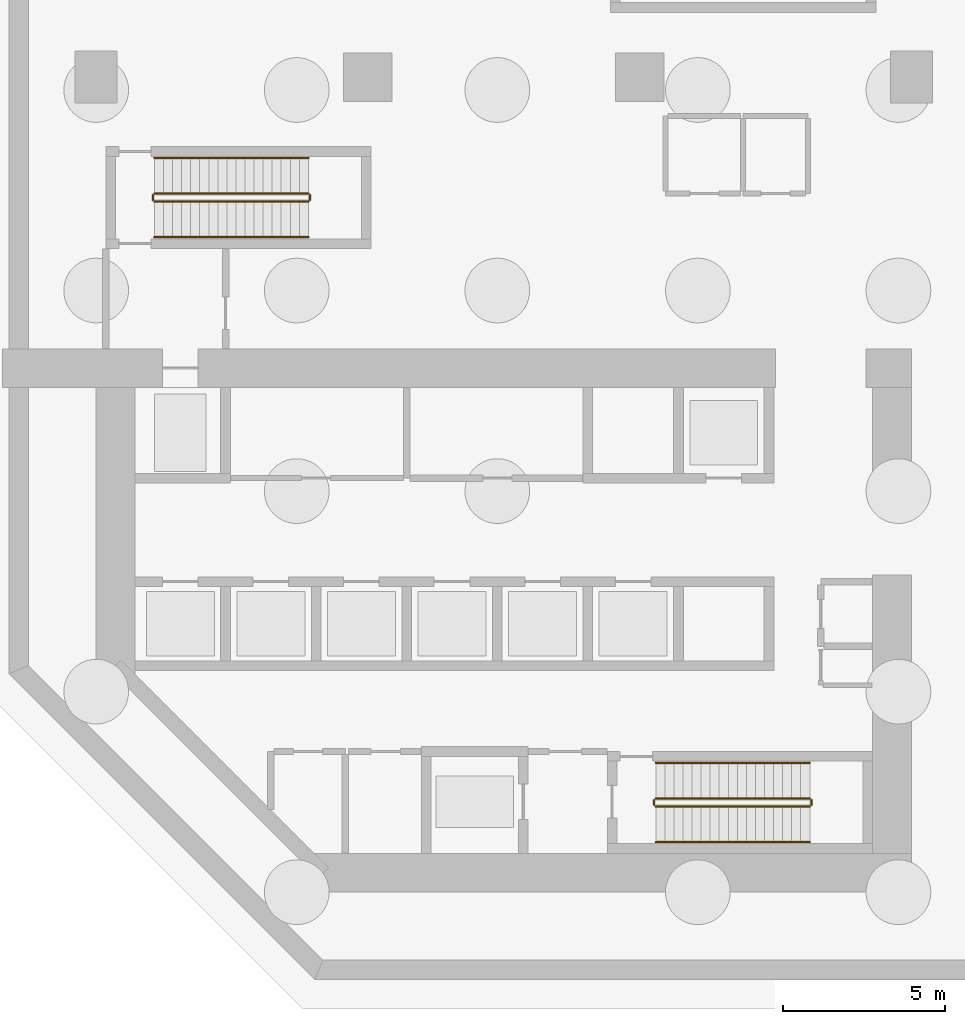
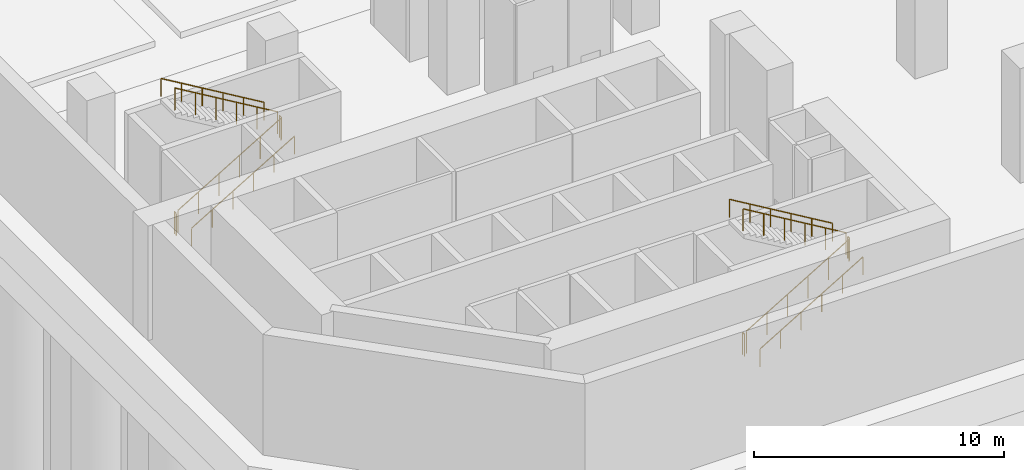
# One storey, part 5 of 6: 12 railings.
"""IFC4 building model written with IfcOpenShell, lengths in metres."""

from ifc_helpers import new_model, si_unit, direction, frame, origin, origin_2d, place, context, subcontext, project, spatial, circle, extrude, material, type_object, element, save


model = new_model("IFC4")

# Units and contexts
model_context = context("Model", 3, precision=1e-05, world=origin(), true_north=direction((0.0, 1.0)))
body_context = subcontext(model_context, "Body", "Model", "MODEL_VIEW")
ifc_project = project(units=[si_unit("LENGTHUNIT", "METRE"), si_unit("AREAUNIT", "SQUARE_METRE"), si_unit("VOLUMEUNIT", "CUBIC_METRE"), si_unit("PLANEANGLEUNIT", "RADIAN"), si_unit("MASSUNIT", "GRAM", prefix="KILO")], contexts=[model_context])

# Site, building, storey
site_placement = place(None, origin())
site = spatial("IfcSite", under=ifc_project, at=site_placement, CompositionType="ELEMENT")
building_placement = place(site_placement, origin())
building = spatial("IfcBuilding", under=site, at=building_placement, Name="Brevane Broadcast Tower", CompositionType="ELEMENT")
storey_placement = place(building_placement, frame((0.0, 0.0, -6.0)))
storey = spatial("IfcBuildingStorey", under=building, at=storey_placement, Name="B1", CompositionType="ELEMENT", Elevation=-6.0)

# Railings
ifc_material = material(Name="Steel S355", Category="steel")
railing_type_1 = type_object("IfcRailingType", Name="Exit stair guard", PredefinedType="GUARDRAIL", material=ifc_material)
railing_1_placement = place(storey_placement, frame((1.800048828125, 21.35009765625, 0.166748046875)))
element("IfcRailing", 1, at=railing_1_placement, inside=storey, type_object=railing_type_1, Name="B1 ST-1 stair guard 1", PredefinedType="GUARDRAIL", context=body_context, shape_type="SweptSolid", body=[
    extrude(circle(Radius=0.02392578125, at=origin_2d()), frame((0.0, 0.0, 1.076171875), z_axis=(0.859299802514, 0.0, 0.511472237174), x_axis=(0.0, 1.0, 0.0)), (0.0, 0.0, 1.0), 5.539306640625),
    extrude(circle(Radius=0.02099609375, at=origin_2d()), origin(), (0.0, 0.0, 1.0), 1.052001953125),
    extrude(circle(Radius=0.02099609375, at=origin_2d()), frame((0.951904296875, 0.0, 0.566650390625)), (0.0, 0.0, 1.0), 1.052001953125),
    extrude(circle(Radius=0.02099609375, at=origin_2d()), frame((1.904052734375, 0.0, 1.13330078125)), (0.0, 0.0, 1.0), 1.052001953125),
    extrude(circle(Radius=0.02099609375, at=origin_2d()), frame((2.85595703125, 0.0, 1.699951171875)), (0.0, 0.0, 1.0), 1.052001953125),
    extrude(circle(Radius=0.02099609375, at=origin_2d()), frame((3.80810546875, 0.0, 2.2666015625)), (0.0, 0.0, 1.0), 1.052001953125),
    extrude(circle(Radius=0.02099609375, at=origin_2d()), frame((4.760009765625, 0.0, 2.833251953125)), (0.0, 0.0, 1.0), 1.052001953125),
])
railing_2_placement = place(storey_placement, frame((6.610107421875, 21.39990234375, 3.0)))
element("IfcRailing", 2, at=railing_2_placement, inside=storey, type_object=railing_type_1, Name="B1 ST-1 stair guard 2", PredefinedType="GUARDRAIL", context=body_context, shape_type="SweptSolid", body=[
    extrude(circle(Radius=0.02392578125, at=origin_2d()), frame((0.0, 0.0, 1.076171875), z_axis=(0.0, 1.0, 0.0), x_axis=(-1.0, 0.0, 0.0)), (0.0, 0.0, 1.0), 0.150146484375),
    extrude(circle(Radius=0.02099609375, at=origin_2d()), origin(), (0.0, 0.0, 1.0), 1.052001953125),
    extrude(circle(Radius=0.02099609375, at=origin_2d()), frame((0.0, 0.150146484375, 0.0)), (0.0, 0.0, 1.0), 1.052001953125),
])
railing_3_placement = place(storey_placement, frame((6.56005859375, 21.60009765625, 3.166748046875)))
element("IfcRailing", 3, at=railing_3_placement, inside=storey, type_object=railing_type_1, Name="B1 ST-1 stair guard 3", PredefinedType="GUARDRAIL", context=body_context, shape_type="SweptSolid", body=[
    extrude(circle(Radius=0.02392578125, at=origin_2d()), frame((0.0, 0.0, 1.076171875), z_axis=(-0.859299802514, 0.0, 0.511472237174), x_axis=(0.0, -1.0, 0.0)), (0.0, 0.0, 1.0), 5.539306640625),
    extrude(circle(Radius=0.02099609375, at=origin_2d()), origin(), (0.0, 0.0, 1.0), 1.052001953125),
    extrude(circle(Radius=0.02099609375, at=origin_2d()), frame((-0.951904296875, 0.0, 0.566650390625)), (0.0, 0.0, 1.0), 1.052001953125),
    extrude(circle(Radius=0.02099609375, at=origin_2d()), frame((-1.904052734375, 0.0, 1.13330078125)), (0.0, 0.0, 1.0), 1.052001953125),
    extrude(circle(Radius=0.02099609375, at=origin_2d()), frame((-2.85595703125, 0.0, 1.699951171875)), (0.0, 0.0, 1.0), 1.052001953125),
    extrude(circle(Radius=0.02099609375, at=origin_2d()), frame((-3.80810546875, 0.0, 2.2666015625)), (0.0, 0.0, 1.0), 1.052001953125),
    extrude(circle(Radius=0.02099609375, at=origin_2d()), frame((-4.760009765625, 0.0, 2.833251953125)), (0.0, 0.0, 1.0), 1.052001953125),
])
railing_4_placement = place(storey_placement, frame((1.75, 21.39990234375, 0.0)))
element("IfcRailing", 4, at=railing_4_placement, inside=storey, type_object=railing_type_1, Name="B1 ST-1 stair guard 4", PredefinedType="GUARDRAIL", context=body_context, shape_type="SweptSolid", body=[
    extrude(circle(Radius=0.02392578125, at=origin_2d()), frame((0.0, 0.0, 1.076171875), z_axis=(0.0, 1.0, 0.0), x_axis=(-1.0, 0.0, 0.0)), (0.0, 0.0, 1.0), 0.150146484375),
    extrude(circle(Radius=0.02099609375, at=origin_2d()), origin(), (0.0, 0.0, 1.0), 1.052001953125),
    extrude(circle(Radius=0.02099609375, at=origin_2d()), frame((0.0, 0.150146484375, 0.0)), (0.0, 0.0, 1.0), 1.052001953125),
])
railing_5_placement = place(storey_placement, frame((17.300048828125, 2.64990234375, 0.166748046875)))
element("IfcRailing", 5, at=railing_5_placement, inside=storey, type_object=railing_type_1, Name="B1 ST-2 stair guard 1", PredefinedType="GUARDRAIL", context=body_context, shape_type="SweptSolid", body=[
    extrude(circle(Radius=0.02392578125, at=origin_2d()), frame((0.0, 0.0, 1.076171875), z_axis=(0.859299802514, 0.0, 0.511472237174), x_axis=(0.0, 1.0, 0.0)), (0.0, 0.0, 1.0), 5.539306640625),
    extrude(circle(Radius=0.02099609375, at=origin_2d()), origin(), (0.0, 0.0, 1.0), 1.052001953125),
    extrude(circle(Radius=0.02099609375, at=origin_2d()), frame((0.951904296875, 0.0, 0.566650390625)), (0.0, 0.0, 1.0), 1.052001953125),
    extrude(circle(Radius=0.02099609375, at=origin_2d()), frame((1.904052734375, 0.0, 1.13330078125)), (0.0, 0.0, 1.0), 1.052001953125),
    extrude(circle(Radius=0.02099609375, at=origin_2d()), frame((2.85595703125, 0.0, 1.699951171875)), (0.0, 0.0, 1.0), 1.052001953125),
    extrude(circle(Radius=0.02099609375, at=origin_2d()), frame((3.80810546875, 0.0, 2.2666015625)), (0.0, 0.0, 1.0), 1.052001953125),
    extrude(circle(Radius=0.02099609375, at=origin_2d()), frame((4.760009765625, 0.0, 2.833251953125)), (0.0, 0.0, 1.0), 1.052001953125),
])
railing_6_placement = place(storey_placement, frame((22.110107421875, 2.699951171875, 3.0)))
element("IfcRailing", 6, at=railing_6_placement, inside=storey, type_object=railing_type_1, Name="B1 ST-2 stair guard 2", PredefinedType="GUARDRAIL", context=body_context, shape_type="SweptSolid", body=[
    extrude(circle(Radius=0.02392578125, at=origin_2d()), frame((0.0, 0.0, 1.076171875), z_axis=(0.0, 1.0, 0.0), x_axis=(-1.0, 0.0, 0.0)), (0.0, 0.0, 1.0), 0.150146484375),
    extrude(circle(Radius=0.02099609375, at=origin_2d()), origin(), (0.0, 0.0, 1.0), 1.052001953125),
    extrude(circle(Radius=0.02099609375, at=origin_2d()), frame((0.0, 0.150146484375, 0.0)), (0.0, 0.0, 1.0), 1.052001953125),
])
railing_7_placement = place(storey_placement, frame((22.06005859375, 2.89990234375, 3.166748046875)))
element("IfcRailing", 7, at=railing_7_placement, inside=storey, type_object=railing_type_1, Name="B1 ST-2 stair guard 3", PredefinedType="GUARDRAIL", context=body_context, shape_type="SweptSolid", body=[
    extrude(circle(Radius=0.02392578125, at=origin_2d()), frame((0.0, 0.0, 1.076171875), z_axis=(-0.859299802514, 0.0, 0.511472237174), x_axis=(0.0, -1.0, 0.0)), (0.0, 0.0, 1.0), 5.539306640625),
    extrude(circle(Radius=0.02099609375, at=origin_2d()), origin(), (0.0, 0.0, 1.0), 1.052001953125),
    extrude(circle(Radius=0.02099609375, at=origin_2d()), frame((-0.951904296875, 0.0, 0.566650390625)), (0.0, 0.0, 1.0), 1.052001953125),
    extrude(circle(Radius=0.02099609375, at=origin_2d()), frame((-1.904052734375, 0.0, 1.13330078125)), (0.0, 0.0, 1.0), 1.052001953125),
    extrude(circle(Radius=0.02099609375, at=origin_2d()), frame((-2.85595703125, 0.0, 1.699951171875)), (0.0, 0.0, 1.0), 1.052001953125),
    extrude(circle(Radius=0.02099609375, at=origin_2d()), frame((-3.80810546875, 0.0, 2.2666015625)), (0.0, 0.0, 1.0), 1.052001953125),
    extrude(circle(Radius=0.02099609375, at=origin_2d()), frame((-4.760009765625, 0.0, 2.833251953125)), (0.0, 0.0, 1.0), 1.052001953125),
])
railing_8_placement = place(storey_placement, frame((17.25, 2.699951171875, 0.0)))
element("IfcRailing", 8, at=railing_8_placement, inside=storey, type_object=railing_type_1, Name="B1 ST-2 stair guard 4", PredefinedType="GUARDRAIL", context=body_context, shape_type="SweptSolid", body=[
    extrude(circle(Radius=0.02392578125, at=origin_2d()), frame((0.0, 0.0, 1.076171875), z_axis=(0.0, 1.0, 0.0), x_axis=(-1.0, 0.0, 0.0)), (0.0, 0.0, 1.0), 0.150146484375),
    extrude(circle(Radius=0.02099609375, at=origin_2d()), origin(), (0.0, 0.0, 1.0), 1.052001953125),
    extrude(circle(Radius=0.02099609375, at=origin_2d()), frame((0.0, 0.150146484375, 0.0)), (0.0, 0.0, 1.0), 1.052001953125),
])
railing_type_2 = type_object("IfcRailingType", Name="Exit stair handrail", PredefinedType="HANDRAIL", material=ifc_material)
railing_9_placement = place(storey_placement, frame((1.800048828125, 20.25, 0.166748046875)))
element("IfcRailing", 9, at=railing_9_placement, inside=storey, type_object=railing_type_2, Name="B1 ST-1 stair handrail 1", PredefinedType="HANDRAIL", context=body_context, shape_type="SweptSolid", body=[
    extrude(circle(Radius=0.02392578125, at=origin_2d()), frame((0.0, 0.0, 0.8759765625), z_axis=(0.859299802514, 0.0, 0.511472237174), x_axis=(0.0, 1.0, 0.0)), (0.0, 0.0, 1.0), 5.539306640625),
    extrude(circle(Radius=0.02099609375, at=origin_2d()), origin(), (0.0, 0.0, 1.0), 0.851806640625),
    extrude(circle(Radius=0.02099609375, at=origin_2d()), frame((0.951904296875, 0.0, 0.566650390625)), (0.0, 0.0, 1.0), 0.851806640625),
    extrude(circle(Radius=0.02099609375, at=origin_2d()), frame((1.904052734375, 0.0, 1.13330078125)), (0.0, 0.0, 1.0), 0.851806640625),
    extrude(circle(Radius=0.02099609375, at=origin_2d()), frame((2.85595703125, 0.0, 1.699951171875)), (0.0, 0.0, 1.0), 0.851806640625),
    extrude(circle(Radius=0.02099609375, at=origin_2d()), frame((3.80810546875, 0.0, 2.2666015625)), (0.0, 0.0, 1.0), 0.851806640625),
    extrude(circle(Radius=0.02099609375, at=origin_2d()), frame((4.760009765625, 0.0, 2.833251953125)), (0.0, 0.0, 1.0), 0.851806640625),
])
railing_10_placement = place(storey_placement, frame((6.56005859375, 22.699951171875, 3.166748046875)))
element("IfcRailing", 10, at=railing_10_placement, inside=storey, type_object=railing_type_2, Name="B1 ST-1 stair handrail 2", PredefinedType="HANDRAIL", context=body_context, shape_type="SweptSolid", body=[
    extrude(circle(Radius=0.02392578125, at=origin_2d()), frame((0.0, 0.0, 0.8759765625), z_axis=(-0.859299802514, 0.0, 0.511472237174), x_axis=(0.0, -1.0, 0.0)), (0.0, 0.0, 1.0), 5.539306640625),
    extrude(circle(Radius=0.02099609375, at=origin_2d()), origin(), (0.0, 0.0, 1.0), 0.851806640625),
    extrude(circle(Radius=0.02099609375, at=origin_2d()), frame((-0.951904296875, 0.0, 0.566650390625)), (0.0, 0.0, 1.0), 0.851806640625),
    extrude(circle(Radius=0.02099609375, at=origin_2d()), frame((-1.904052734375, 0.0, 1.13330078125)), (0.0, 0.0, 1.0), 0.851806640625),
    extrude(circle(Radius=0.02099609375, at=origin_2d()), frame((-2.85595703125, 0.0, 1.699951171875)), (0.0, 0.0, 1.0), 0.851806640625),
    extrude(circle(Radius=0.02099609375, at=origin_2d()), frame((-3.80810546875, 0.0, 2.2666015625)), (0.0, 0.0, 1.0), 0.851806640625),
    extrude(circle(Radius=0.02099609375, at=origin_2d()), frame((-4.760009765625, 0.0, 2.833251953125)), (0.0, 0.0, 1.0), 0.851806640625),
])
railing_11_placement = place(storey_placement, frame((17.300048828125, 1.550048828125, 0.166748046875)))
element("IfcRailing", 11, at=railing_11_placement, inside=storey, type_object=railing_type_2, Name="B1 ST-2 stair handrail 1", PredefinedType="HANDRAIL", context=body_context, shape_type="SweptSolid", body=[
    extrude(circle(Radius=0.02392578125, at=origin_2d()), frame((0.0, 0.0, 0.8759765625), z_axis=(0.859299802514, 0.0, 0.511472237174), x_axis=(0.0, 1.0, 0.0)), (0.0, 0.0, 1.0), 5.539306640625),
    extrude(circle(Radius=0.02099609375, at=origin_2d()), origin(), (0.0, 0.0, 1.0), 0.851806640625),
    extrude(circle(Radius=0.02099609375, at=origin_2d()), frame((0.951904296875, 0.0, 0.566650390625)), (0.0, 0.0, 1.0), 0.851806640625),
    extrude(circle(Radius=0.02099609375, at=origin_2d()), frame((1.904052734375, 0.0, 1.13330078125)), (0.0, 0.0, 1.0), 0.851806640625),
    extrude(circle(Radius=0.02099609375, at=origin_2d()), frame((2.85595703125, 0.0, 1.699951171875)), (0.0, 0.0, 1.0), 0.851806640625),
    extrude(circle(Radius=0.02099609375, at=origin_2d()), frame((3.80810546875, 0.0, 2.2666015625)), (0.0, 0.0, 1.0), 0.851806640625),
    extrude(circle(Radius=0.02099609375, at=origin_2d()), frame((4.760009765625, 0.0, 2.833251953125)), (0.0, 0.0, 1.0), 0.851806640625),
])
railing_12_placement = place(storey_placement, frame((22.06005859375, 4.0, 3.166748046875)))
element("IfcRailing", 12, at=railing_12_placement, inside=storey, type_object=railing_type_2, Name="B1 ST-2 stair handrail 2", PredefinedType="HANDRAIL", context=body_context, shape_type="SweptSolid", body=[
    extrude(circle(Radius=0.02392578125, at=origin_2d()), frame((0.0, 0.0, 0.8759765625), z_axis=(-0.859299802514, 0.0, 0.511472237174), x_axis=(0.0, -1.0, 0.0)), (0.0, 0.0, 1.0), 5.539306640625),
    extrude(circle(Radius=0.02099609375, at=origin_2d()), origin(), (0.0, 0.0, 1.0), 0.851806640625),
    extrude(circle(Radius=0.02099609375, at=origin_2d()), frame((-0.951904296875, 0.0, 0.566650390625)), (0.0, 0.0, 1.0), 0.851806640625),
    extrude(circle(Radius=0.02099609375, at=origin_2d()), frame((-1.904052734375, 0.0, 1.13330078125)), (0.0, 0.0, 1.0), 0.851806640625),
    extrude(circle(Radius=0.02099609375, at=origin_2d()), frame((-2.85595703125, 0.0, 1.699951171875)), (0.0, 0.0, 1.0), 0.851806640625),
    extrude(circle(Radius=0.02099609375, at=origin_2d()), frame((-3.80810546875, 0.0, 2.2666015625)), (0.0, 0.0, 1.0), 0.851806640625),
    extrude(circle(Radius=0.02099609375, at=origin_2d()), frame((-4.760009765625, 0.0, 2.833251953125)), (0.0, 0.0, 1.0), 0.851806640625),
])

save(model, "model.ifc")
